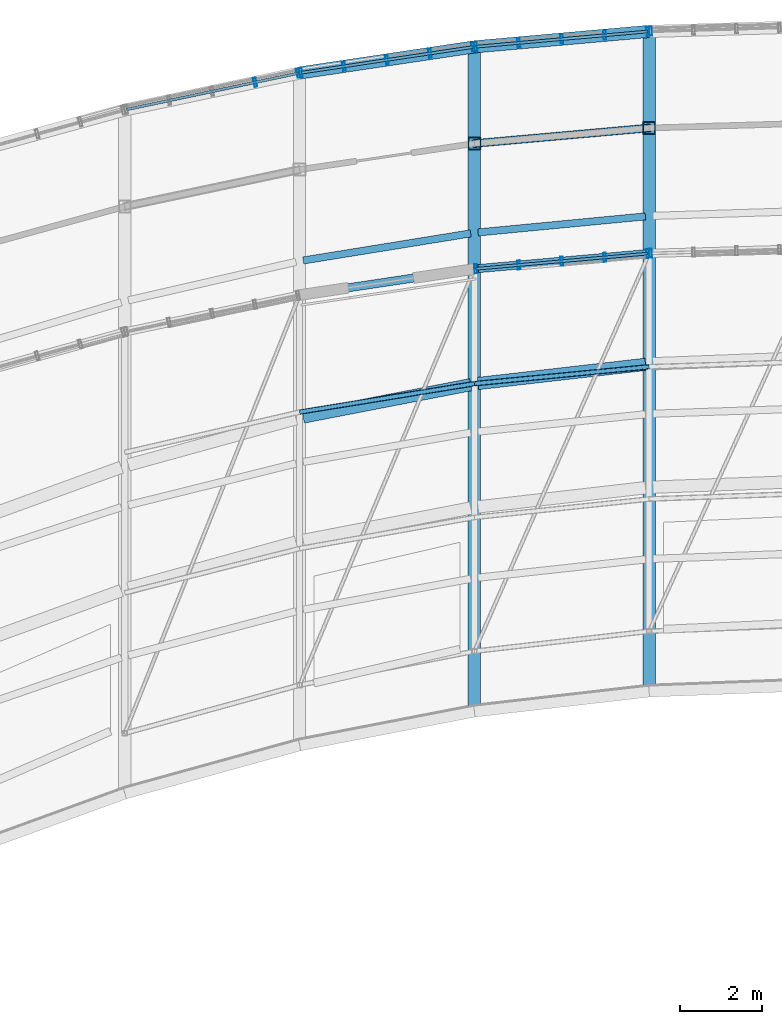
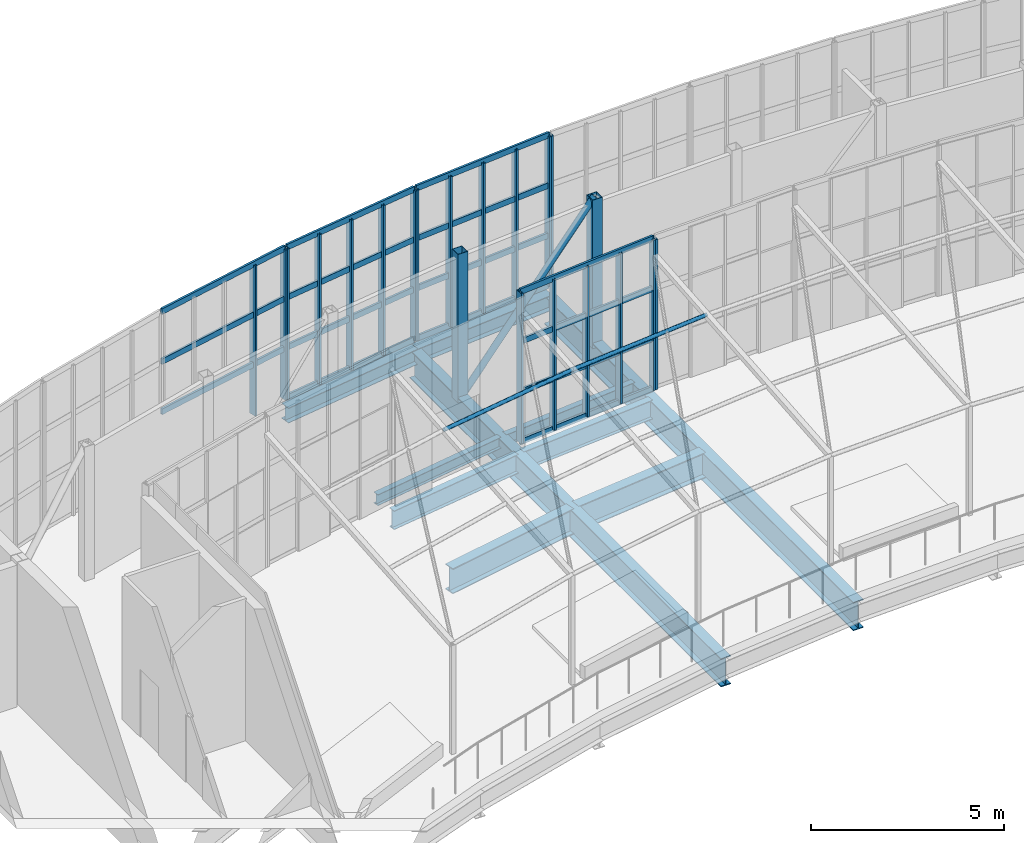
# One storey, part 14 of 35: 39 members, 10 beams, 6 elements without a shape of their own.
"""IFC4 building model written with IfcOpenShell, lengths in metres."""

from ifc_helpers import new_model, si_unit, direction, frame, origin, origin_2d, place, context, subcontext, project, spatial, hollow_rectangle, hollow_circle, i_section, extrude, material, material_profile, profile_set, type_object, element, aggregate, save


model = new_model("IFC4")

# Units and contexts
model_context = context("Model", 3, precision=1e-05, world=origin(), true_north=direction((0.0, 1.0)))
body_context = subcontext(model_context, "Body", "Model", "MODEL_VIEW")
ifc_project = project(units=[si_unit("LENGTHUNIT", "METRE"), si_unit("AREAUNIT", "SQUARE_METRE"), si_unit("VOLUMEUNIT", "CUBIC_METRE"), si_unit("PLANEANGLEUNIT", "RADIAN"), si_unit("MASSUNIT", "GRAM", prefix="KILO")], contexts=[model_context])

# Site, building, storey
site_placement = place(None, origin())
site = spatial("IfcSite", under=ifc_project, at=site_placement, CompositionType="ELEMENT")
building_placement = place(site_placement, origin())
building = spatial("IfcBuilding", under=site, at=building_placement, Name="Solvikara Media Centre", CompositionType="ELEMENT")
storey_placement = place(building_placement, frame((0.0, 0.0, 29.39990234375)))
storey = spatial("IfcBuildingStorey", under=building, at=storey_placement, Name="L06", CompositionType="ELEMENT", Elevation=29.39990234375)

# Beams
ifc_material_1 = material(Name="Steel S355JR", Category="steel")
ifc_material_profile_1 = material_profile(ifc_material_1, i_section(OverallWidth=0.300048828125, OverallDepth=0.89990234375, WebThickness=0.01611328125, FlangeThickness=0.028076171875, at=origin_2d()), Name="WF 900x300x16x28")
ifc_profile_set_1 = profile_set([ifc_material_profile_1], Name="Steel S355JR")
beam_type_1 = type_object("IfcBeamType", Name="BM-15", PredefinedType="BEAM", material=ifc_profile_set_1)
beam_1_placement = place(storey_placement, frame((93.5, 24.818115234375, -0.721923828125), z_axis=(0.0, 1.0, 0.0), x_axis=(-1.0, 0.0, 0.0)))
element("IfcBeam", 1, at=beam_1_placement, inside=storey, type_object=beam_type_1, Name="BG-L06-NS-04", PredefinedType="BEAM", context=body_context, shape_type="SweptSolid", body=[
    extrude(i_section(OverallWidth=0.300048828125, OverallDepth=0.89990234375, WebThickness=0.01611328125, FlangeThickness=0.028076171875, at=origin_2d()), origin(), (0.0, 0.0, 1.0), 16.14599609375),
])
beam_2_placement = place(storey_placement, frame((97.75, 25.304931640625, -0.721923828125), z_axis=(0.0, 1.0, 0.0), x_axis=(-1.0, 0.0, 0.0)))
element("IfcBeam", 2, at=beam_2_placement, inside=storey, type_object=beam_type_1, Name="BG-L06-NS-05", PredefinedType="BEAM", context=body_context, shape_type="SweptSolid", body=[
    extrude(i_section(OverallWidth=0.300048828125, OverallDepth=0.89990234375, WebThickness=0.01611328125, FlangeThickness=0.028076171875, at=origin_2d()), origin(), (0.0, 0.0, 1.0), 16.0361328125),
])
ifc_material_profile_2 = material_profile(ifc_material_1, i_section(OverallWidth=0.300048828125, OverallDepth=0.800048828125, WebThickness=0.013916015625, FlangeThickness=0.02587890625, at=origin_2d()), Name="WF 800x300x14x26")
ifc_profile_set_2 = profile_set([ifc_material_profile_2], Name="Steel S355JR")
beam_type_2 = type_object("IfcBeamType", Name="BM-16", PredefinedType="BEAM", material=ifc_profile_set_2)
beam_3_placement = place(storey_placement, frame((89.337890625, 31.962890625, -0.671875), z_axis=(0.981801087979, 0.189912147171, 0.0), x_axis=(-0.189912147171, 0.981801087979, 0.0)))
element("IfcBeam", 3, at=beam_3_placement, inside=storey, type_object=beam_type_2, Name="B-L06-SPNN-03", PredefinedType="BEAM", context=body_context, shape_type="SweptSolid", body=[
    extrude(i_section(OverallWidth=0.300048828125, OverallDepth=0.800048828125, WebThickness=0.013916015625, FlangeThickness=0.02587890625, at=origin_2d()), origin(), (0.0, 0.0, 1.0), 4.149658203125),
])
beam_4_placement = place(storey_placement, frame((93.589111328125, 32.778076171875, -0.671875), z_axis=(0.993485932274, 0.113954826025, 0.0), x_axis=(-0.113954826025, 0.993485932274, 0.0)))
element("IfcBeam", 4, at=beam_4_placement, inside=storey, type_object=beam_type_2, Name="B-L06-SPNN-04", PredefinedType="BEAM", context=body_context, shape_type="SweptSolid", body=[
    extrude(i_section(OverallWidth=0.300048828125, OverallDepth=0.800048828125, WebThickness=0.013916015625, FlangeThickness=0.02587890625, at=origin_2d()), origin(), (0.0, 0.0, 1.0), 4.098388671875),
])
ifc_material_profile_3 = material_profile(ifc_material_1, i_section(OverallWidth=0.199951171875, OverallDepth=0.60009765625, WebThickness=0.010986328125, FlangeThickness=0.01708984375, at=origin_2d()), Name="WF 600x200x11x17")
ifc_profile_set_3 = profile_set([ifc_material_profile_3], Name="Steel S355JR")
beam_type_3 = type_object("IfcBeamType", Name="BM-18", PredefinedType="BEAM", material=ifc_profile_set_3)
beam_5_placement = place(storey_placement, frame((89.339111328125, 34.94189453125, -0.572021484375), z_axis=(0.98899456098, 0.147951878501, 0.0), x_axis=(-0.147951878501, 0.98899456098, 0.0)))
element("IfcBeam", 5, at=beam_5_placement, inside=storey, type_object=beam_type_3, Name="BG-L06-GAL-04", PredefinedType="BEAM", context=body_context, shape_type="SweptSolid", body=[
    extrude(i_section(OverallWidth=0.199951171875, OverallDepth=0.60009765625, WebThickness=0.010986328125, FlangeThickness=0.01708984375, at=origin_2d()), origin(), (0.0, 0.0, 1.0), 4.1171875),
])
beam_6_placement = place(storey_placement, frame((93.590087890625, 35.572021484375, -0.572021484375), z_axis=(0.996087265317, 0.088375108902, 0.0), x_axis=(-0.088375108902, 0.996087265317, 0.0)))
element("IfcBeam", 6, at=beam_6_placement, inside=storey, type_object=beam_type_3, Name="BG-L06-GAL-05", PredefinedType="BEAM", context=body_context, shape_type="SweptSolid", body=[
    extrude(i_section(OverallWidth=0.199951171875, OverallDepth=0.60009765625, WebThickness=0.010986328125, FlangeThickness=0.01708984375, at=origin_2d()), origin(), (0.0, 0.0, 1.0), 4.085693359375),
])
ifc_material_profile_4 = material_profile(ifc_material_1, i_section(OverallWidth=0.175048828125, OverallDepth=0.35009765625, WebThickness=0.007080078125, FlangeThickness=0.010986328125, at=origin_2d()), Name="WF 350x175x7x11")
ifc_profile_set_4 = profile_set([ifc_material_profile_4], Name="Steel S355JR")
beam_type_4 = type_object("IfcBeamType", Name="BM-22", PredefinedType="JOIST", material=ifc_profile_set_4)
beam_7_placement = place(storey_placement, frame((89.339111328125, 35.77001953125, -0.44482421875), z_axis=(0.987157242896, 0.159751612818, 0.0), x_axis=(-0.159751612818, 0.987157242896, 0.0)))
element("IfcBeam", 7, at=beam_7_placement, inside=storey, type_object=beam_type_4, Name="BJ-L06-03-72", PredefinedType="JOIST", context=body_context, shape_type="SweptSolid", body=[
    extrude(i_section(OverallWidth=0.175048828125, OverallDepth=0.35009765625, WebThickness=0.007080078125, FlangeThickness=0.010986328125, at=origin_2d()), origin(), (0.0, 0.0, 1.0), 4.124755859375),
])
beam_8_placement = place(storey_placement, frame((93.590087890625, 36.451904296875, -0.44482421875), z_axis=(0.995436776487, 0.095423393451, 0.0), x_axis=(-0.095423393451, 0.995436776487, 0.0)))
element("IfcBeam", 8, at=beam_8_placement, inside=storey, type_object=beam_type_4, Name="BJ-L06-04-72", PredefinedType="JOIST", context=body_context, shape_type="SweptSolid", body=[
    extrude(i_section(OverallWidth=0.175048828125, OverallDepth=0.35009765625, WebThickness=0.007080078125, FlangeThickness=0.010986328125, at=origin_2d()), origin(), (0.0, 0.0, 1.0), 4.08837890625),
])
ifc_material_profile_5 = material_profile(ifc_material_1, i_section(OverallWidth=0.300048828125, OverallDepth=0.48193359375, WebThickness=0.010986328125, FlangeThickness=0.014892578125, at=origin_2d()), Name="WF 482x300x11x15")
ifc_profile_set_5 = profile_set([ifc_material_profile_5], Name="Steel S355JR")
beam_type_5 = type_object("IfcBeamType", Name="BM-32", PredefinedType="SPANDREL", material=ifc_profile_set_5)
beam_9_placement = place(storey_placement, frame((89.25, 40.3291015625, -0.462890625), z_axis=(0.989021203369, 0.147773675894, 0.0), x_axis=(-0.147773675894, 0.989021203369, 0.0)))
element("IfcBeam", 9, at=beam_9_placement, inside=storey, type_object=beam_type_5, Name="B-L06-NARC-03", PredefinedType="SPANDREL", context=body_context, shape_type="SweptSolid", body=[
    extrude(i_section(OverallWidth=0.300048828125, OverallDepth=0.48193359375, WebThickness=0.010986328125, FlangeThickness=0.014892578125, at=origin_2d()), origin(), (0.0, 0.0, 1.0), 4.297119140625),
])
beam_10_placement = place(storey_placement, frame((93.5, 40.964111328125, -0.462890625), z_axis=(0.996089667749, 0.088348026597, 0.0), x_axis=(-0.088348026597, 0.996089667749, 0.0)))
element("IfcBeam", 10, at=beam_10_placement, inside=storey, type_object=beam_type_5, Name="B-L06-NARC-04", PredefinedType="SPANDREL", context=body_context, shape_type="SweptSolid", body=[
    extrude(i_section(OverallWidth=0.300048828125, OverallDepth=0.48193359375, WebThickness=0.010986328125, FlangeThickness=0.014892578125, at=origin_2d()), origin(), (0.0, 0.0, 1.0), 4.2666015625),
])

# Members
ifc_material_profile_6 = material_profile(ifc_material_1, hollow_circle(Radius=0.096923828125, WallThickness=0.008056640625, at=origin_2d()), Name="CHS 193.7x8")
ifc_profile_set_6 = profile_set([ifc_material_profile_6], Name="Steel S355JR")
member_type_1 = type_object("IfcMemberType", Name="MB-06", PredefinedType="BRACE", material=ifc_profile_set_6)
member_1_placement = place(storey_placement, frame((93.5, 38.614013671875, -0.449951171875), z_axis=(0.669526873178, 0.059383587557, 0.740410261693), x_axis=(-0.088348026597, 0.996089667749, 0.0)))
element("IfcMember", 11, at=member_1_placement, inside=storey, type_object=member_type_1, Name="SKY-TR-M-DA04", PredefinedType="BRACE", context=body_context, shape_type="SweptSolid", body=[
    extrude(hollow_circle(Radius=0.096923828125, WallThickness=0.008056640625, at=origin_2d()), origin(), (0.0, 0.0, 1.0), 6.34765625),
])
ifc_material_profile_7 = material_profile(ifc_material_1, hollow_circle(Radius=0.05712890625, WallThickness=0.006103515625, at=origin_2d()), Name="CHS 114.3x6")
ifc_profile_set_7 = profile_set([ifc_material_profile_7], Name="Steel S355JR")
member_type_2 = type_object("IfcMemberType", Name="MB-09", PredefinedType="BRACE", material=ifc_profile_set_7)
member_2_placement = place(storey_placement, frame((89.25, 32.083984375, 4.010009765625), z_axis=(0.987041960256, 0.160462359118, 0.0), x_axis=(-0.160462359118, 0.987041960256, 0.0)))
element("IfcMember", 12, at=member_2_placement, inside=storey, type_object=member_type_2, Name="PERG-LVR-04-70", PredefinedType="BRACE", context=body_context, shape_type="SweptSolid", body=[
    extrude(hollow_circle(Radius=0.05712890625, WallThickness=0.006103515625, at=origin_2d()), origin(), (0.0, 0.0, 1.0), 4.305908203125),
])
member_3_placement = place(storey_placement, frame((93.5, 32.77490234375, 4.010009765625), z_axis=(0.995375444146, 0.096061049297, 0.0), x_axis=(-0.096061049297, 0.995375444146, 0.0)))
element("IfcMember", 13, at=member_3_placement, inside=storey, type_object=member_type_2, Name="PERG-LVR-05-70", PredefinedType="BRACE", context=body_context, shape_type="SweptSolid", body=[
    extrude(hollow_circle(Radius=0.05712890625, WallThickness=0.006103515625, at=origin_2d()), origin(), (0.0, 0.0, 1.0), 4.269775390625),
])
ifc_material_profile_8 = material_profile(ifc_material_1, hollow_rectangle(XDim=0.300048828125, YDim=0.300048828125, WallThickness=0.012451171875, at=origin_2d()), Name="RHS 300x300x12.5")
ifc_profile_set_8 = profile_set([ifc_material_profile_8], Name="Steel S355JR")
member_type_3 = type_object("IfcMemberType", Name="MB-11", PredefinedType="CHORD", material=ifc_profile_set_8)
for number, where, z_axis, x_axis, name in (
    (14, (93.5, 38.614013671875, -0.449951171875), (0.0, 0.0, 1.0), (1.0, 0.0, 0.0), "SKY-TR-M-V04"),
    (15, (97.75, 38.990966796875, -0.449951171875), (0.0, 0.0, 1.0), (1.0, 0.0, 0.0), "SKY-TR-M-V05"),
):
    element("IfcMember", number, at=place(storey_placement, frame(where, z_axis=z_axis, x_axis=x_axis)), inside=storey, type_object=member_type_3, Name=name, PredefinedType="CHORD", context=body_context, shape_type="SweptSolid", body=[
        extrude(hollow_rectangle(XDim=0.300048828125, YDim=0.300048828125, WallThickness=0.012451171875, at=origin_2d()), origin(), (0.0, 0.0, 1.0), 4.699951171875),
    ])

# Curtain wall, members
ifc_material_2 = material(Name="Anodised aluminium EN AW-6063", Category="aluminium")
curtain_wall_type = type_object("IfcCurtainWallType", Name="CW-13", PredefinedType="NOTDEFINED", material=ifc_material_2)
curtain_wall_1_placement = place(storey_placement, origin())
curtain_wall_1 = element("IfcCurtainWall", 16, at=curtain_wall_1_placement, inside=storey, type_object=curtain_wall_type, Name="CW-L06-NARC-02", PredefinedType="NOTDEFINED")
ifc_material_profile_9 = material_profile(ifc_material_2, hollow_rectangle(XDim=0.06494140625, YDim=0.219970703125, WallThickness=0.00390625, at=origin_2d()), Name="ALU-M 65x220x4")
ifc_profile_set_9 = profile_set([ifc_material_profile_9], Name="Anodised aluminium EN AW-6063")
member_type_4 = type_object("IfcMemberType", Name="MF-01", PredefinedType="MULLION", material=ifc_profile_set_9)
member_4_placement = place(storey_placement, frame((88.1708984375, 40.10107421875, 0.02001953125), z_axis=(0.0, 0.0, 1.0), x_axis=(0.97837923005, 0.206818959981, 0.0)))
member_4 = element("IfcMember", 17, at=member_4_placement, type_object=member_type_4, Name="CW-L06-NARC-02-M03", PredefinedType="MULLION", context=body_context, shape_type="SweptSolid", body=[
    extrude(hollow_rectangle(XDim=0.06494140625, YDim=0.219970703125, WallThickness=0.00390625, at=origin_2d()), origin(), (0.0, 0.0, 1.0), 4.760009765625),
])
member_5_placement = place(storey_placement, frame((89.216064453125, 40.322021484375, 0.02001953125), z_axis=(0.0, 0.0, 1.0), x_axis=(0.97837923005, 0.206818959981, 0.0)))
member_5 = element("IfcMember", 18, at=member_5_placement, type_object=member_type_4, Name="CW-L06-NARC-02-M04", PredefinedType="MULLION", context=body_context, shape_type="SweptSolid", body=[
    extrude(hollow_rectangle(XDim=0.06494140625, YDim=0.219970703125, WallThickness=0.00390625, at=origin_2d()), origin(), (0.0, 0.0, 1.0), 4.760009765625),
])

curtain_wall_2_placement = place(storey_placement, origin())
curtain_wall_2 = element("IfcCurtainWall", 19, at=curtain_wall_2_placement, inside=storey, type_object=curtain_wall_type, Name="CW-L06-NARC-03", PredefinedType="NOTDEFINED")
member_6_placement = place(storey_placement, frame((89.284912109375, 40.333984375, 0.02001953125), z_axis=(0.0, 0.0, 1.0), x_axis=(0.989005541908, 0.147878457102, 0.0)))
member_6 = element("IfcMember", 20, at=member_6_placement, type_object=member_type_4, Name="CW-L06-NARC-03-M00", PredefinedType="MULLION", context=body_context, shape_type="SweptSolid", body=[
    extrude(hollow_rectangle(XDim=0.06494140625, YDim=0.219970703125, WallThickness=0.00390625, at=origin_2d()), origin(), (0.0, 0.0, 1.0), 4.760009765625),
])
member_7_placement = place(storey_placement, frame((90.330078125, 40.489990234375, 0.02001953125), z_axis=(0.0, 0.0, 1.0), x_axis=(0.989005541908, 0.147878457102, 0.0)))
member_7 = element("IfcMember", 21, at=member_7_placement, type_object=member_type_4, Name="CW-L06-NARC-03-M01", PredefinedType="MULLION", context=body_context, shape_type="SweptSolid", body=[
    extrude(hollow_rectangle(XDim=0.06494140625, YDim=0.219970703125, WallThickness=0.00390625, at=origin_2d()), origin(), (0.0, 0.0, 1.0), 4.760009765625),
])
member_8_placement = place(storey_placement, frame((91.375, 40.64599609375, 0.02001953125), z_axis=(0.0, 0.0, 1.0), x_axis=(0.989005541908, 0.147878457102, 0.0)))
member_8 = element("IfcMember", 22, at=member_8_placement, type_object=member_type_4, Name="CW-L06-NARC-03-M02", PredefinedType="MULLION", context=body_context, shape_type="SweptSolid", body=[
    extrude(hollow_rectangle(XDim=0.06494140625, YDim=0.219970703125, WallThickness=0.00390625, at=origin_2d()), origin(), (0.0, 0.0, 1.0), 4.760009765625),
])
member_9_placement = place(storey_placement, frame((92.419921875, 40.802978515625, 0.02001953125), z_axis=(0.0, 0.0, 1.0), x_axis=(0.989005541908, 0.147878457102, 0.0)))
member_9 = element("IfcMember", 23, at=member_9_placement, type_object=member_type_4, Name="CW-L06-NARC-03-M03", PredefinedType="MULLION", context=body_context, shape_type="SweptSolid", body=[
    extrude(hollow_rectangle(XDim=0.06494140625, YDim=0.219970703125, WallThickness=0.00390625, at=origin_2d()), origin(), (0.0, 0.0, 1.0), 4.760009765625),
])
member_10_placement = place(storey_placement, frame((93.465087890625, 40.958984375, 0.02001953125), z_axis=(0.0, 0.0, 1.0), x_axis=(0.989005541908, 0.147878457102, 0.0)))
member_10 = element("IfcMember", 24, at=member_10_placement, type_object=member_type_4, Name="CW-L06-NARC-03-M04", PredefinedType="MULLION", context=body_context, shape_type="SweptSolid", body=[
    extrude(hollow_rectangle(XDim=0.06494140625, YDim=0.219970703125, WallThickness=0.00390625, at=origin_2d()), origin(), (0.0, 0.0, 1.0), 4.760009765625),
])

curtain_wall_3_placement = place(storey_placement, origin())
curtain_wall_3 = element("IfcCurtainWall", 25, at=curtain_wall_3_placement, inside=storey, type_object=curtain_wall_type, Name="CW-L06-NARC-04", PredefinedType="NOTDEFINED")
member_11_placement = place(storey_placement, frame((93.534912109375, 40.967041015625, 0.02001953125), z_axis=(0.0, 0.0, 1.0), x_axis=(0.99608438842, 0.088407528781, 0.0)))
member_11 = element("IfcMember", 26, at=member_11_placement, type_object=member_type_4, Name="CW-L06-NARC-04-M00", PredefinedType="MULLION", context=body_context, shape_type="SweptSolid", body=[
    extrude(hollow_rectangle(XDim=0.06494140625, YDim=0.219970703125, WallThickness=0.00390625, at=origin_2d()), origin(), (0.0, 0.0, 1.0), 4.760009765625),
])
member_12_placement = place(storey_placement, frame((94.580078125, 41.06005859375, 0.02001953125), z_axis=(0.0, 0.0, 1.0), x_axis=(0.99608438842, 0.088407528781, 0.0)))
member_12 = element("IfcMember", 27, at=member_12_placement, type_object=member_type_4, Name="CW-L06-NARC-04-M01", PredefinedType="MULLION", context=body_context, shape_type="SweptSolid", body=[
    extrude(hollow_rectangle(XDim=0.06494140625, YDim=0.219970703125, WallThickness=0.00390625, at=origin_2d()), origin(), (0.0, 0.0, 1.0), 4.760009765625),
])
member_13_placement = place(storey_placement, frame((95.625, 41.152099609375, 0.02001953125), z_axis=(0.0, 0.0, 1.0), x_axis=(0.99608438842, 0.088407528781, 0.0)))
member_13 = element("IfcMember", 28, at=member_13_placement, type_object=member_type_4, Name="CW-L06-NARC-04-M02", PredefinedType="MULLION", context=body_context, shape_type="SweptSolid", body=[
    extrude(hollow_rectangle(XDim=0.06494140625, YDim=0.219970703125, WallThickness=0.00390625, at=origin_2d()), origin(), (0.0, 0.0, 1.0), 4.760009765625),
])
member_14_placement = place(storey_placement, frame((96.669921875, 41.2451171875, 0.02001953125), z_axis=(0.0, 0.0, 1.0), x_axis=(0.99608438842, 0.088407528781, 0.0)))
member_14 = element("IfcMember", 29, at=member_14_placement, type_object=member_type_4, Name="CW-L06-NARC-04-M03", PredefinedType="MULLION", context=body_context, shape_type="SweptSolid", body=[
    extrude(hollow_rectangle(XDim=0.06494140625, YDim=0.219970703125, WallThickness=0.00390625, at=origin_2d()), origin(), (0.0, 0.0, 1.0), 4.760009765625),
])
member_15_placement = place(storey_placement, frame((97.715087890625, 41.337890625, 0.02001953125), z_axis=(0.0, 0.0, 1.0), x_axis=(0.99608438842, 0.088407528781, 0.0)))
member_15 = element("IfcMember", 30, at=member_15_placement, type_object=member_type_4, Name="CW-L06-NARC-04-M04", PredefinedType="MULLION", context=body_context, shape_type="SweptSolid", body=[
    extrude(hollow_rectangle(XDim=0.06494140625, YDim=0.219970703125, WallThickness=0.00390625, at=origin_2d()), origin(), (0.0, 0.0, 1.0), 4.760009765625),
])

# Curtain wall, member
curtain_wall_4_placement = place(storey_placement, origin())
curtain_wall_4 = element("IfcCurtainWall", 31, at=curtain_wall_4_placement, inside=storey, type_object=curtain_wall_type, Name="CW-L06-NARC-05", PredefinedType="NOTDEFINED")
member_16_placement = place(storey_placement, frame((97.784912109375, 41.342041015625, 0.02001953125), z_axis=(0.0, 0.0, 1.0), x_axis=(0.999560377741, 0.02964879847, 0.0)))
member_16 = element("IfcMember", 32, at=member_16_placement, type_object=member_type_4, Name="CW-L06-NARC-05-M00", PredefinedType="MULLION", context=body_context, shape_type="SweptSolid", body=[
    extrude(hollow_rectangle(XDim=0.06494140625, YDim=0.219970703125, WallThickness=0.00390625, at=origin_2d()), origin(), (0.0, 0.0, 1.0), 4.760009765625),
])
aggregate(curtain_wall_4, [member_16])

# Curtain wall, members
curtain_wall_5_placement = place(storey_placement, origin())
curtain_wall_5 = element("IfcCurtainWall", 33, at=curtain_wall_5_placement, inside=storey, type_object=curtain_wall_type, Name="CW-L06-GALS-04", PredefinedType="NOTDEFINED")
member_17_placement = place(storey_placement, frame((93.534912109375, 35.56689453125, 0.02001953125), z_axis=(0.0, 0.0, 1.0), x_axis=(0.99608438842, 0.088407528781, 0.0)))
member_17 = element("IfcMember", 34, at=member_17_placement, type_object=member_type_4, Name="CW-L06-GALS-04-M00", PredefinedType="MULLION", context=body_context, shape_type="SweptSolid", body=[
    extrude(hollow_rectangle(XDim=0.06494140625, YDim=0.219970703125, WallThickness=0.00390625, at=origin_2d()), origin(), (0.0, 0.0, 1.0), 4.760009765625),
])
member_18_placement = place(storey_placement, frame((94.580078125, 35.659912109375, 0.02001953125), z_axis=(0.0, 0.0, 1.0), x_axis=(0.99608438842, 0.088407528781, 0.0)))
member_18 = element("IfcMember", 35, at=member_18_placement, type_object=member_type_4, Name="CW-L06-GALS-04-M01", PredefinedType="MULLION", context=body_context, shape_type="SweptSolid", body=[
    extrude(hollow_rectangle(XDim=0.06494140625, YDim=0.219970703125, WallThickness=0.00390625, at=origin_2d()), origin(), (0.0, 0.0, 1.0), 4.760009765625),
])
member_19_placement = place(storey_placement, frame((95.625, 35.751953125, 0.02001953125), z_axis=(0.0, 0.0, 1.0), x_axis=(0.99608438842, 0.088407528781, 0.0)))
member_19 = element("IfcMember", 36, at=member_19_placement, type_object=member_type_4, Name="CW-L06-GALS-04-M02", PredefinedType="MULLION", context=body_context, shape_type="SweptSolid", body=[
    extrude(hollow_rectangle(XDim=0.06494140625, YDim=0.219970703125, WallThickness=0.00390625, at=origin_2d()), origin(), (0.0, 0.0, 1.0), 4.760009765625),
])
member_20_placement = place(storey_placement, frame((96.669921875, 35.844970703125, 0.02001953125), z_axis=(0.0, 0.0, 1.0), x_axis=(0.99608438842, 0.088407528781, 0.0)))
member_20 = element("IfcMember", 37, at=member_20_placement, type_object=member_type_4, Name="CW-L06-GALS-04-M03", PredefinedType="MULLION", context=body_context, shape_type="SweptSolid", body=[
    extrude(hollow_rectangle(XDim=0.06494140625, YDim=0.219970703125, WallThickness=0.00390625, at=origin_2d()), origin(), (0.0, 0.0, 1.0), 4.760009765625),
])
member_21_placement = place(storey_placement, frame((97.715087890625, 35.93798828125, 0.02001953125), z_axis=(0.0, 0.0, 1.0), x_axis=(0.99608438842, 0.088407528781, 0.0)))
member_21 = element("IfcMember", 38, at=member_21_placement, type_object=member_type_4, Name="CW-L06-GALS-04-M04", PredefinedType="MULLION", context=body_context, shape_type="SweptSolid", body=[
    extrude(hollow_rectangle(XDim=0.06494140625, YDim=0.219970703125, WallThickness=0.00390625, at=origin_2d()), origin(), (0.0, 0.0, 1.0), 4.760009765625),
])

# Curtain wall, member
curtain_wall_6_placement = place(storey_placement, origin())
curtain_wall_6 = element("IfcCurtainWall", 39, at=curtain_wall_6_placement, inside=storey, type_object=curtain_wall_type, Name="CW-L06-GALS-05", PredefinedType="NOTDEFINED")
member_22_placement = place(storey_placement, frame((97.784912109375, 35.94189453125, 0.02001953125), z_axis=(0.0, 0.0, 1.0), x_axis=(0.999560377741, 0.02964879847, 0.0)))
member_22 = element("IfcMember", 40, at=member_22_placement, type_object=member_type_4, Name="CW-L06-GALS-05-M00", PredefinedType="MULLION", context=body_context, shape_type="SweptSolid", body=[
    extrude(hollow_rectangle(XDim=0.06494140625, YDim=0.219970703125, WallThickness=0.00390625, at=origin_2d()), origin(), (0.0, 0.0, 1.0), 4.760009765625),
])
aggregate(curtain_wall_6, [member_22])

# Member
ifc_material_profile_10 = material_profile(ifc_material_2, hollow_rectangle(XDim=0.06494140625, YDim=0.179931640625, WallThickness=0.00341796875, at=origin_2d()), Name="ALU-T 65x180x3.5")
ifc_profile_set_10 = profile_set([ifc_material_profile_10], Name="Anodised aluminium EN AW-6063")
member_type_5 = type_object("IfcMemberType", Name="MF-07", PredefinedType="USERDEFINED", material=ifc_profile_set_10)
member_23_placement = place(storey_placement, frame((85.033935546875, 39.43798828125, 1.607177734375), z_axis=(0.978380382842, 0.206813506496, 0.0), x_axis=(-0.206813506496, 0.978380382842, 0.0)))
member_23 = element("IfcMember", 41, at=member_23_placement, type_object=member_type_5, Name="CW-L06-NARC-02-T01", ObjectType="TRANSOM", PredefinedType="USERDEFINED", context=body_context, shape_type="SweptSolid", body=[
    extrude(hollow_rectangle(XDim=0.06494140625, YDim=0.179931640625, WallThickness=0.00341796875, at=origin_2d()), origin(), (0.0, 0.0, 1.0), 4.274658203125),
])

member_24_placement = place(storey_placement, frame((85.033935546875, 39.43798828125, 3.193115234375), z_axis=(0.978380382842, 0.206813506496, 0.0), x_axis=(-0.206813506496, 0.978380382842, 0.0)))
member_24 = element("IfcMember", 42, at=member_24_placement, type_object=member_type_5, Name="CW-L06-NARC-02-T02", ObjectType="TRANSOM", PredefinedType="USERDEFINED", context=body_context, shape_type="SweptSolid", body=[
    extrude(hollow_rectangle(XDim=0.06494140625, YDim=0.179931640625, WallThickness=0.00341796875, at=origin_2d()), origin(), (0.0, 0.0, 1.0), 4.274658203125),
])

member_25_placement = place(storey_placement, frame((85.033935546875, 39.43798828125, 4.780029296875), z_axis=(0.978380382842, 0.206813506496, 0.0), x_axis=(-0.206813506496, 0.978380382842, 0.0)))
member_25 = element("IfcMember", 43, at=member_25_placement, type_object=member_type_5, Name="CW-L06-NARC-02-T03", ObjectType="TRANSOM", PredefinedType="USERDEFINED", context=body_context, shape_type="SweptSolid", body=[
    extrude(hollow_rectangle(XDim=0.06494140625, YDim=0.179931640625, WallThickness=0.00341796875, at=origin_2d()), origin(), (0.0, 0.0, 1.0), 4.274658203125),
])

aggregate(curtain_wall_1, [member_4, member_5, member_23, member_24, member_25])

member_26_placement = place(storey_placement, frame((89.284912109375, 40.333984375, 0.02001953125), z_axis=(0.989006573352, 0.147871558684, 0.0), x_axis=(-0.147871558684, 0.989006573352, 0.0)))
member_26 = element("IfcMember", 44, at=member_26_placement, type_object=member_type_5, Name="CW-L06-NARC-03-T00", ObjectType="TRANSOM", PredefinedType="USERDEFINED", context=body_context, shape_type="SweptSolid", body=[
    extrude(hollow_rectangle(XDim=0.06494140625, YDim=0.179931640625, WallThickness=0.00341796875, at=origin_2d()), origin(), (0.0, 0.0, 1.0), 4.2265625),
])

member_27_placement = place(storey_placement, frame((89.284912109375, 40.333984375, 1.607177734375), z_axis=(0.989006573352, 0.147871558684, 0.0), x_axis=(-0.147871558684, 0.989006573352, 0.0)))
member_27 = element("IfcMember", 45, at=member_27_placement, type_object=member_type_5, Name="CW-L06-NARC-03-T01", ObjectType="TRANSOM", PredefinedType="USERDEFINED", context=body_context, shape_type="SweptSolid", body=[
    extrude(hollow_rectangle(XDim=0.06494140625, YDim=0.179931640625, WallThickness=0.00341796875, at=origin_2d()), origin(), (0.0, 0.0, 1.0), 4.2265625),
])

member_28_placement = place(storey_placement, frame((89.284912109375, 40.333984375, 3.193115234375), z_axis=(0.989006573352, 0.147871558684, 0.0), x_axis=(-0.147871558684, 0.989006573352, 0.0)))
member_28 = element("IfcMember", 46, at=member_28_placement, type_object=member_type_5, Name="CW-L06-NARC-03-T02", ObjectType="TRANSOM", PredefinedType="USERDEFINED", context=body_context, shape_type="SweptSolid", body=[
    extrude(hollow_rectangle(XDim=0.06494140625, YDim=0.179931640625, WallThickness=0.00341796875, at=origin_2d()), origin(), (0.0, 0.0, 1.0), 4.2265625),
])

member_29_placement = place(storey_placement, frame((89.284912109375, 40.333984375, 4.780029296875), z_axis=(0.989006573352, 0.147871558684, 0.0), x_axis=(-0.147871558684, 0.989006573352, 0.0)))
member_29 = element("IfcMember", 47, at=member_29_placement, type_object=member_type_5, Name="CW-L06-NARC-03-T03", ObjectType="TRANSOM", PredefinedType="USERDEFINED", context=body_context, shape_type="SweptSolid", body=[
    extrude(hollow_rectangle(XDim=0.06494140625, YDim=0.179931640625, WallThickness=0.00341796875, at=origin_2d()), origin(), (0.0, 0.0, 1.0), 4.2265625),
])

aggregate(curtain_wall_2, [member_6, member_7, member_8, member_9, member_10, member_26, member_27, member_28, member_29])

member_30_placement = place(storey_placement, frame((93.534912109375, 40.967041015625, 0.02001953125), z_axis=(0.996087790013, 0.08836919478, 0.0), x_axis=(-0.08836919478, 0.996087790013, 0.0)))
member_30 = element("IfcMember", 48, at=member_30_placement, type_object=member_type_5, Name="CW-L06-NARC-04-T00", ObjectType="TRANSOM", PredefinedType="USERDEFINED", context=body_context, shape_type="SweptSolid", body=[
    extrude(hollow_rectangle(XDim=0.06494140625, YDim=0.179931640625, WallThickness=0.00341796875, at=origin_2d()), origin(), (0.0, 0.0, 1.0), 4.196533203125),
])

member_31_placement = place(storey_placement, frame((93.534912109375, 40.967041015625, 1.607177734375), z_axis=(0.996087790013, 0.08836919478, 0.0), x_axis=(-0.08836919478, 0.996087790013, 0.0)))
member_31 = element("IfcMember", 49, at=member_31_placement, type_object=member_type_5, Name="CW-L06-NARC-04-T01", ObjectType="TRANSOM", PredefinedType="USERDEFINED", context=body_context, shape_type="SweptSolid", body=[
    extrude(hollow_rectangle(XDim=0.06494140625, YDim=0.179931640625, WallThickness=0.00341796875, at=origin_2d()), origin(), (0.0, 0.0, 1.0), 4.196533203125),
])

member_32_placement = place(storey_placement, frame((93.534912109375, 40.967041015625, 3.193115234375), z_axis=(0.996087790013, 0.08836919478, 0.0), x_axis=(-0.08836919478, 0.996087790013, 0.0)))
member_32 = element("IfcMember", 50, at=member_32_placement, type_object=member_type_5, Name="CW-L06-NARC-04-T02", ObjectType="TRANSOM", PredefinedType="USERDEFINED", context=body_context, shape_type="SweptSolid", body=[
    extrude(hollow_rectangle(XDim=0.06494140625, YDim=0.179931640625, WallThickness=0.00341796875, at=origin_2d()), origin(), (0.0, 0.0, 1.0), 4.196533203125),
])

member_33_placement = place(storey_placement, frame((93.534912109375, 40.967041015625, 4.780029296875), z_axis=(0.996087790013, 0.08836919478, 0.0), x_axis=(-0.08836919478, 0.996087790013, 0.0)))
member_33 = element("IfcMember", 51, at=member_33_placement, type_object=member_type_5, Name="CW-L06-NARC-04-T03", ObjectType="TRANSOM", PredefinedType="USERDEFINED", context=body_context, shape_type="SweptSolid", body=[
    extrude(hollow_rectangle(XDim=0.06494140625, YDim=0.179931640625, WallThickness=0.00341796875, at=origin_2d()), origin(), (0.0, 0.0, 1.0), 4.196533203125),
])

aggregate(curtain_wall_3, [member_11, member_12, member_13, member_14, member_15, member_30, member_31, member_32, member_33])

member_34_placement = place(storey_placement, frame((93.534912109375, 35.56689453125, 0.02001953125), z_axis=(0.996082667522, 0.088426915935, 0.0), x_axis=(-0.088426915935, 0.996082667522, 0.0)))
member_34 = element("IfcMember", 52, at=member_34_placement, type_object=member_type_5, Name="CW-L06-GALS-04-T00", ObjectType="TRANSOM", PredefinedType="USERDEFINED", context=body_context, shape_type="SweptSolid", body=[
    extrude(hollow_rectangle(XDim=0.06494140625, YDim=0.179931640625, WallThickness=0.00341796875, at=origin_2d()), origin(), (0.0, 0.0, 1.0), 4.196533203125),
])

member_35_placement = place(storey_placement, frame((93.534912109375, 35.56689453125, 1.607177734375), z_axis=(0.996082667522, 0.088426915935, 0.0), x_axis=(-0.088426915935, 0.996082667522, 0.0)))
member_35 = element("IfcMember", 53, at=member_35_placement, type_object=member_type_5, Name="CW-L06-GALS-04-T01", ObjectType="TRANSOM", PredefinedType="USERDEFINED", context=body_context, shape_type="SweptSolid", body=[
    extrude(hollow_rectangle(XDim=0.06494140625, YDim=0.179931640625, WallThickness=0.00341796875, at=origin_2d()), origin(), (0.0, 0.0, 1.0), 4.196533203125),
])

member_36_placement = place(storey_placement, frame((93.534912109375, 35.56689453125, 3.193115234375), z_axis=(0.996082667522, 0.088426915935, 0.0), x_axis=(-0.088426915935, 0.996082667522, 0.0)))
member_36 = element("IfcMember", 54, at=member_36_placement, type_object=member_type_5, Name="CW-L06-GALS-04-T02", ObjectType="TRANSOM", PredefinedType="USERDEFINED", context=body_context, shape_type="SweptSolid", body=[
    extrude(hollow_rectangle(XDim=0.06494140625, YDim=0.179931640625, WallThickness=0.00341796875, at=origin_2d()), origin(), (0.0, 0.0, 1.0), 4.196533203125),
])

member_37_placement = place(storey_placement, frame((93.534912109375, 35.56689453125, 4.780029296875), z_axis=(0.996082667522, 0.088426915935, 0.0), x_axis=(-0.088426915935, 0.996082667522, 0.0)))
member_37 = element("IfcMember", 55, at=member_37_placement, type_object=member_type_5, Name="CW-L06-GALS-04-T03", ObjectType="TRANSOM", PredefinedType="USERDEFINED", context=body_context, shape_type="SweptSolid", body=[
    extrude(hollow_rectangle(XDim=0.06494140625, YDim=0.179931640625, WallThickness=0.00341796875, at=origin_2d()), origin(), (0.0, 0.0, 1.0), 4.196533203125),
])

aggregate(curtain_wall_5, [member_17, member_18, member_19, member_20, member_21, member_34, member_35, member_36, member_37])

save(model, "model.ifc")
